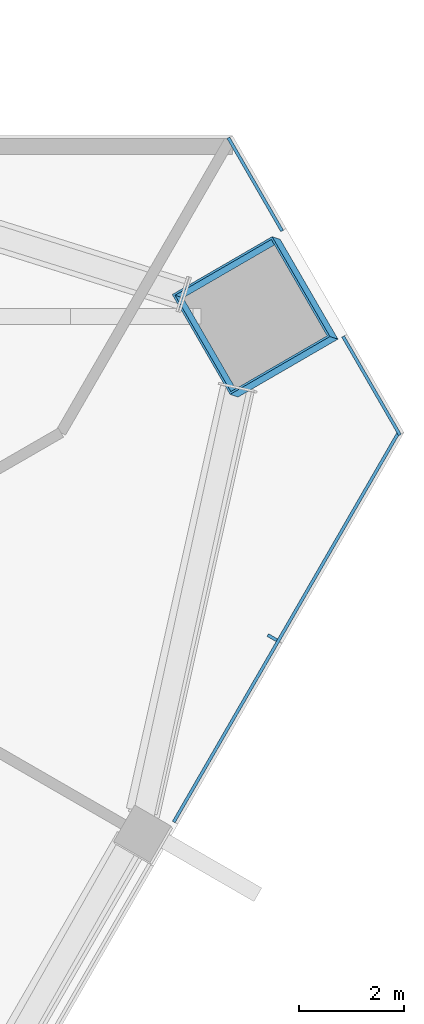
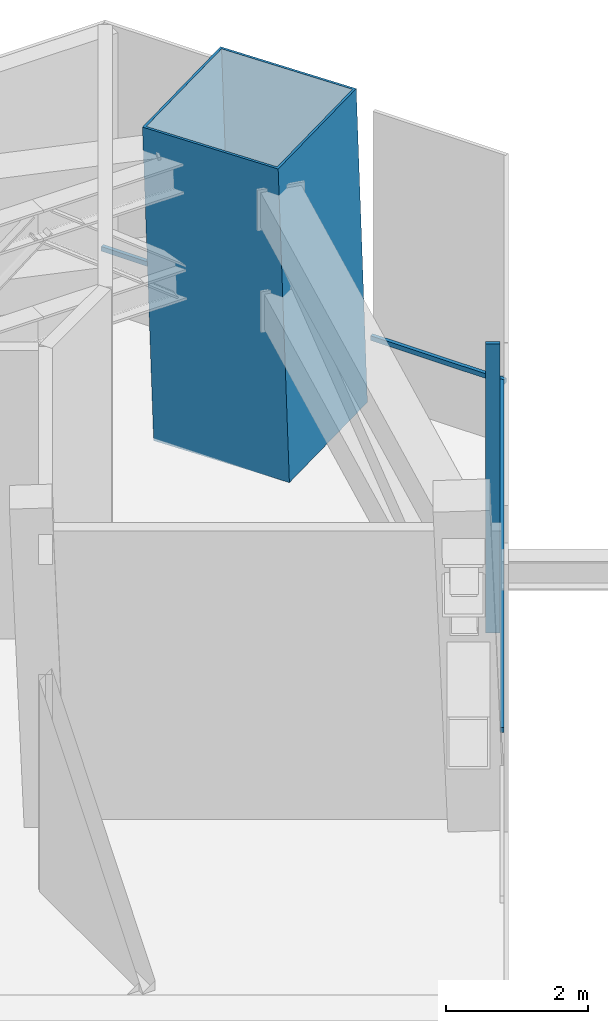
# One storey, part 7 of 14: 5 members, 2 elements without a shape of their own.
"""IFC4 building model written with IfcOpenShell, lengths in metres."""

from ifc_helpers import new_model, si_unit, direction, frame, origin, origin_2d, place, context, subcontext, project, spatial, rectangle, hollow_rectangle, extrude, material, layer, layer_set, material_profile, profile_set, type_object, element, aggregate, save


model = new_model("IFC4")

# Units and contexts
model_context = context("Model", 3, precision=1e-05, world=origin(), true_north=direction((0.0, 1.0)))
body_context = subcontext(model_context, "Body", "Model", "MODEL_VIEW")
ifc_project = project(units=[si_unit("LENGTHUNIT", "METRE"), si_unit("AREAUNIT", "SQUARE_METRE"), si_unit("VOLUMEUNIT", "CUBIC_METRE"), si_unit("PLANEANGLEUNIT", "RADIAN"), si_unit("MASSUNIT", "GRAM", prefix="KILO")], contexts=[model_context])

# Site, building, storey
site_placement = place(None, origin())
site = spatial("IfcSite", under=ifc_project, at=site_placement, CompositionType="ELEMENT")
building_placement = place(site_placement, origin())
building = spatial("IfcBuilding", under=site, at=building_placement, Name="Altiplano Prism Tower", CompositionType="ELEMENT")
storey_placement = place(building_placement, frame((0.0, 0.0, 189.0)))
storey = spatial("IfcBuildingStorey", under=building, at=storey_placement, Name="L49", CompositionType="ELEMENT", Elevation=189.0)

# Curtain wall, members
ifc_material_1 = material(Name="Aluminium and glass", Category="aluminium")
ifc_layer = layer(ifc_material_1, 0.320068359375)
ifc_layer_set = layer_set([ifc_layer], Name="Aluminium and glass")
curtain_wall_type = type_object("IfcCurtainWallType", Name="CW6 louvred plant-floor curtain wall", PredefinedType="NOTDEFINED", material=ifc_layer_set)
curtain_wall_1_placement = place(storey_placement, origin())
curtain_wall_1 = element("IfcCurtainWall", 1, at=curtain_wall_1_placement, inside=storey, type_object=curtain_wall_type, Name="CW6 curtain wall south-east face L49", PredefinedType="NOTDEFINED")
ifc_material_2 = material(Name="Aluminium", Category="aluminium")
ifc_material_profile_1 = material_profile(ifc_material_2, rectangle(XDim=0.199951171875, YDim=0.06005859375, at=origin_2d()), Name="CW6 mullion 60 x 200")
ifc_profile_set_1 = profile_set([ifc_material_profile_1], Name="Aluminium")
member_type_1 = type_object("IfcMemberType", Name="CW6 mullion 60 x 200", PredefinedType="MULLION", material=ifc_profile_set_1)
member_1_placement = place(storey_placement, frame((108.396484375, 95.43310546875, 0.0), z_axis=(0.0, 0.0, 1.0), x_axis=(-0.866025397379, 0.500000011094, 0.0)))
member_1 = element("IfcMember", 2, at=member_1_placement, type_object=member_type_1, Name="CW6 mullion", PredefinedType="MULLION", context=body_context, shape_type="SweptSolid", body=[
    extrude(rectangle(XDim=0.199951171875, YDim=0.06005859375, at=origin_2d()), origin(), (0.0, 0.0, 1.0), 4.949951171875),
])
ifc_material_profile_2 = material_profile(ifc_material_2, rectangle(XDim=0.06005859375, YDim=0.080078125, at=origin_2d()), Name="CW6 transom 80 x 60")
ifc_profile_set_2 = profile_set([ifc_material_profile_2], Name="Aluminium")
member_type_2 = type_object("IfcMemberType", Name="CW6 transom 80 x 60", PredefinedType="USERDEFINED", material=ifc_profile_set_2)
member_2_placement = place(storey_placement, frame((106.51904296875, 91.92138671875, 1.10009765625), z_axis=(0.500011834574, 0.866018570982, 0.0), x_axis=(-0.866018570982, 0.500011834574, 0.0)))
member_2 = element("IfcMember", 3, at=member_2_placement, type_object=member_type_2, Name="CW6 transom", ObjectType="TRANSOM", PredefinedType="USERDEFINED", context=body_context, shape_type="SweptSolid", body=[
    extrude(rectangle(XDim=0.06005859375, YDim=0.080078125, at=origin_2d()), origin(), (0.0, 0.0, 1.0), 8.617431640625),
])
aggregate(curtain_wall_1, [member_1, member_2])

curtain_wall_2_placement = place(storey_placement, origin())
curtain_wall_2 = element("IfcCurtainWall", 4, at=curtain_wall_2_placement, inside=storey, type_object=curtain_wall_type, Name="CW6 curtain wall north-east chamfer L49", PredefinedType="NOTDEFINED")
member_3_placement = place(storey_placement, frame((110.827880859375, 99.29443359375, 1.10009765625), z_axis=(-0.499966140396, 0.866044951753, 0.0), x_axis=(-0.866044951753, -0.499966140396, 0.0)))
member_3 = element("IfcMember", 5, at=member_3_placement, type_object=member_type_2, Name="CW6 transom", ObjectType="TRANSOM", PredefinedType="USERDEFINED", context=body_context, shape_type="SweptSolid", body=[
    extrude(rectangle(XDim=0.06005859375, YDim=0.080078125, at=origin_2d()), origin(), (0.0, 0.0, 1.0), 2.168212890625),
])
member_4_placement = place(storey_placement, frame((108.583740234375, 103.18115234375, 1.10009765625), z_axis=(-0.499908181442, 0.866078408764, 0.0), x_axis=(-0.866078408764, -0.499908181442, 0.0)))
member_4 = element("IfcMember", 6, at=member_4_placement, type_object=member_type_2, Name="CW6 transom", ObjectType="TRANSOM", PredefinedType="USERDEFINED", context=body_context, shape_type="SweptSolid", body=[
    extrude(rectangle(XDim=0.06005859375, YDim=0.080078125, at=origin_2d()), origin(), (0.0, 0.0, 1.0), 2.04833984375),
])
aggregate(curtain_wall_2, [member_3, member_4])

# Member
ifc_material_3 = material(Name="Steel S460", Category="steel")
ifc_material_profile_3 = material_profile(ifc_material_3, hollow_rectangle(XDim=2.199951171875, YDim=2.199951171875, WallThickness=0.0400390625, at=origin_2d()), Name="Mega column tube 2200")
ifc_profile_set_3 = profile_set([ifc_material_profile_3], Name="Steel S460")
member_type_3 = type_object("IfcMemberType", Name="Mega column tube 2200", PredefinedType="POST", material=ifc_profile_set_3)
member_5_placement = place(storey_placement, frame((108.14599609375, 101.519775390625, 0.0), z_axis=(-0.028425675249, 0.009219137918, 0.999553394513), x_axis=(0.500959106695, -0.865185509225, 0.022226291798)))
element("IfcMember", 7, at=member_5_placement, inside=storey, type_object=member_type_3, Name="Mega column tube M2 L49", PredefinedType="POST", context=body_context, shape_type="SweptSolid", body=[
    extrude(hollow_rectangle(XDim=2.199951171875, YDim=2.199951171875, WallThickness=0.0400390625, at=origin_2d()), origin(), (0.0, 0.0, 1.0), 5.40234375),
])

save(model, "model.ifc")
